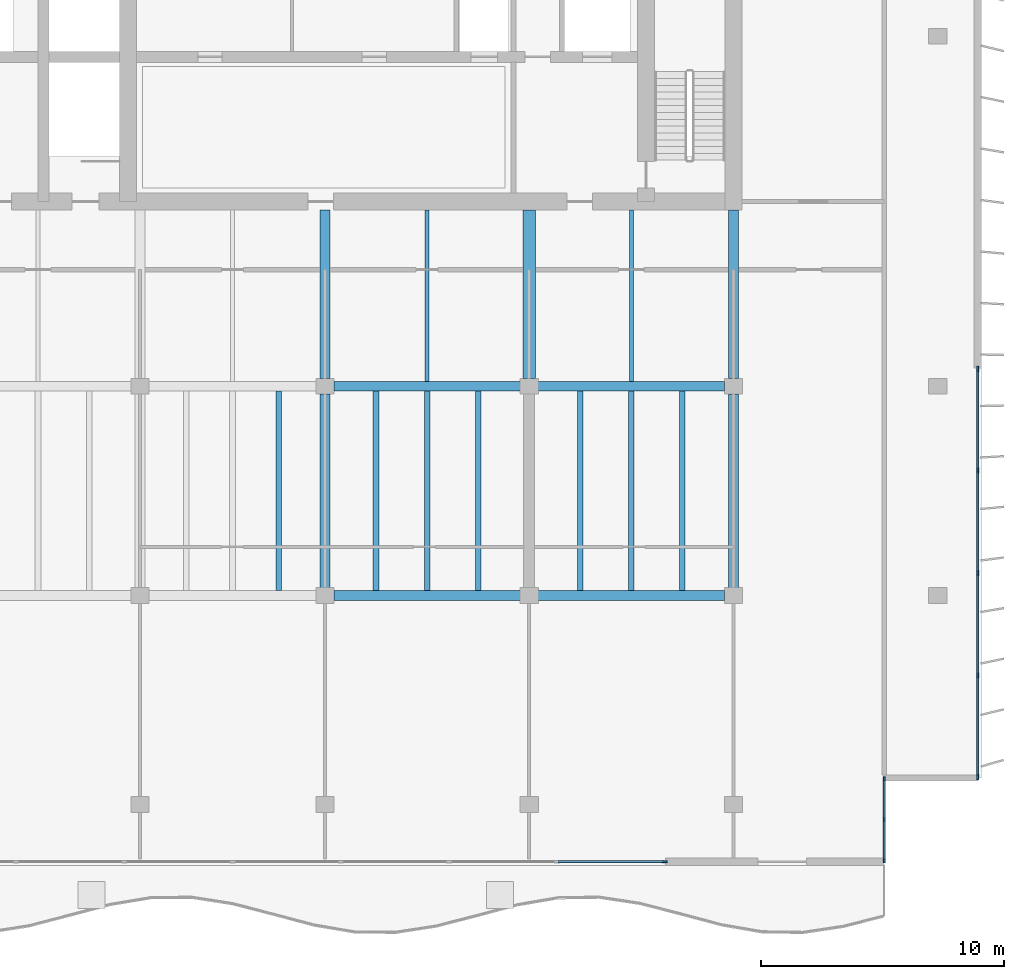
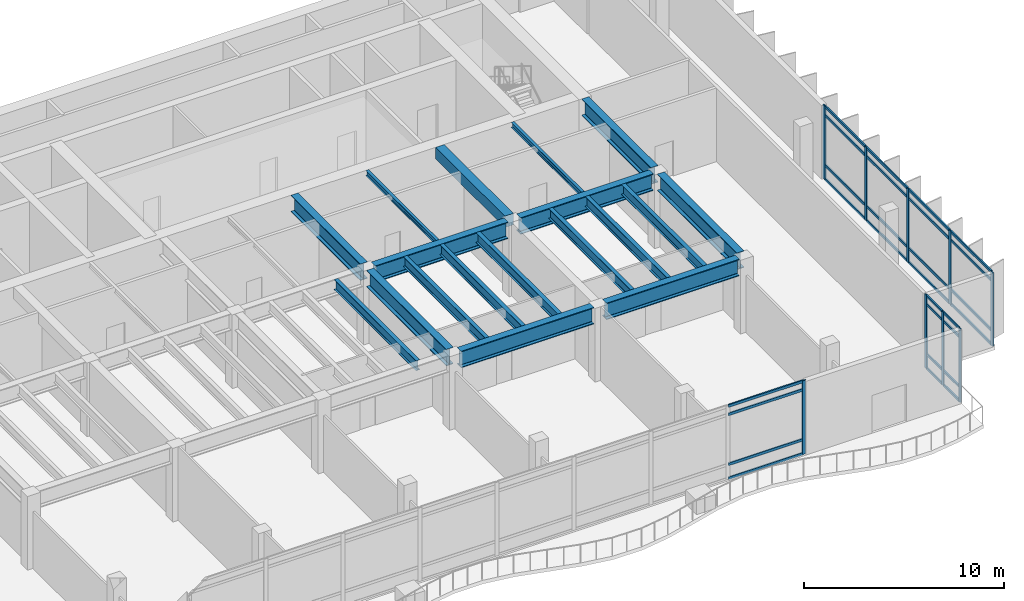
# One storey, part 4 of 14: 37 members, 18 beams, 3 elements without a shape of their own.
"""IFC4 building model written with IfcOpenShell, lengths in metres."""

from ifc_helpers import new_model, si_unit, direction, frame, origin, origin_2d, place, context, subcontext, project, spatial, rectangle, i_section, extrude, material, layer, layer_set, material_profile, profile_set, type_object, element, aggregate, save


model = new_model("IFC4")

# Units and contexts
model_context = context("Model", 3, precision=1e-05, world=origin(), true_north=direction((0.0, 1.0)))
body_context = subcontext(model_context, "Body", "Model", "MODEL_VIEW")
ifc_project = project(units=[si_unit("LENGTHUNIT", "METRE"), si_unit("AREAUNIT", "SQUARE_METRE"), si_unit("VOLUMEUNIT", "CUBIC_METRE"), si_unit("PLANEANGLEUNIT", "RADIAN"), si_unit("MASSUNIT", "GRAM", prefix="KILO")], contexts=[model_context])

# Site, building, storey
site_placement = place(None, origin())
site = spatial("IfcSite", under=ifc_project, at=site_placement, CompositionType="ELEMENT")
building_placement = place(site_placement, origin())
building = spatial("IfcBuilding", under=site, at=building_placement, Name="Caelmar Bay Residences", CompositionType="ELEMENT")
storey_placement = place(building_placement, frame((0.0, 0.0, 269.39990234375)))
storey = spatial("IfcBuildingStorey", under=building, at=storey_placement, Name="L76", CompositionType="ELEMENT", Elevation=269.39990234375)

# Beams
ifc_material_1 = material(Name="Steel ASTM A992 Grade 50", Category="steel")
ifc_material_profile_1 = material_profile(ifc_material_1, i_section(OverallWidth=0.404052734375, OverallDepth=1.02099609375, WebThickness=0.025390625, FlangeThickness=0.0458984375, FilletRadius=0.02294921875, at=origin_2d()), Name="W40X324")
ifc_profile_set_1 = profile_set([ifc_material_profile_1], Name="Steel ASTM A992 Grade 50")
beam_type_1 = type_object("IfcBeamType", Name="BM-GRD-W40X324", PredefinedType="BEAM", material=ifc_profile_set_1)
beam_1_placement = place(storey_placement, frame((43.06494140625, 20.800048828125, 3.989501953125), z_axis=(1.0, 0.0, 0.0), x_axis=(0.0, 1.0, 0.0)))
element("IfcBeam", 1, at=beam_1_placement, inside=storey, type_object=beam_type_1, Name="L76 East-West Girder Y=20.80 (42.7-51.1)", PredefinedType="BEAM", context=body_context, shape_type="SweptSolid", body=[
    extrude(i_section(OverallWidth=0.404052734375, OverallDepth=1.02099609375, WebThickness=0.025390625, FlangeThickness=0.0458984375, FilletRadius=0.02294921875, at=origin_2d()), origin(), (0.0, 0.0, 1.0), 7.670166015625),
])
beam_2_placement = place(storey_placement, frame((51.465087890625, 20.800048828125, 3.989501953125), z_axis=(1.0, 0.0, 0.0), x_axis=(0.0, 1.0, 0.0)))
element("IfcBeam", 2, at=beam_2_placement, inside=storey, type_object=beam_type_1, Name="L76 East-West Girder Y=20.80 (51.1-59.5)", PredefinedType="BEAM", context=body_context, shape_type="SweptSolid", body=[
    extrude(i_section(OverallWidth=0.404052734375, OverallDepth=1.02099609375, WebThickness=0.025390625, FlangeThickness=0.0458984375, FilletRadius=0.02294921875, at=origin_2d()), origin(), (0.0, 0.0, 1.0), 7.669921875),
])
beam_3_placement = place(storey_placement, frame((43.06494140625, 29.39990234375, 3.989501953125), z_axis=(1.0, 0.0, 0.0), x_axis=(0.0, 1.0, 0.0)))
element("IfcBeam", 3, at=beam_3_placement, inside=storey, type_object=beam_type_1, Name="L76 East-West Girder Y=29.40 (42.7-51.1)", PredefinedType="BEAM", context=body_context, shape_type="SweptSolid", body=[
    extrude(i_section(OverallWidth=0.404052734375, OverallDepth=1.02099609375, WebThickness=0.025390625, FlangeThickness=0.0458984375, FilletRadius=0.02294921875, at=origin_2d()), origin(), (0.0, 0.0, 1.0), 7.670166015625),
])
beam_4_placement = place(storey_placement, frame((51.465087890625, 29.39990234375, 3.989501953125), z_axis=(1.0, 0.0, 0.0), x_axis=(0.0, 1.0, 0.0)))
element("IfcBeam", 4, at=beam_4_placement, inside=storey, type_object=beam_type_1, Name="L76 East-West Girder Y=29.40 (51.1-59.5)", PredefinedType="BEAM", context=body_context, shape_type="SweptSolid", body=[
    extrude(i_section(OverallWidth=0.404052734375, OverallDepth=1.02099609375, WebThickness=0.025390625, FlangeThickness=0.0458984375, FilletRadius=0.02294921875, at=origin_2d()), origin(), (0.0, 0.0, 1.0), 7.669921875),
])
beam_5_placement = place(storey_placement, frame((42.699951171875, 29.715087890625, 3.989501953125), z_axis=(0.0, 1.0, 0.0), x_axis=(-1.0, 0.0, 0.0)))
element("IfcBeam", 5, at=beam_5_placement, inside=storey, type_object=beam_type_1, Name="L76 Core Tie Girder X=42.70", PredefinedType="BEAM", context=body_context, shape_type="SweptSolid", body=[
    extrude(i_section(OverallWidth=0.404052734375, OverallDepth=1.02099609375, WebThickness=0.025390625, FlangeThickness=0.0458984375, FilletRadius=0.02294921875, at=origin_2d()), origin(), (0.0, 0.0, 1.0), 6.934814453125),
])
beam_6_placement = place(storey_placement, frame((42.699951171875, 21.114990234375, 3.989501953125), z_axis=(0.0, 1.0, 0.0), x_axis=(-1.0, 0.0, 0.0)))
element("IfcBeam", 6, at=beam_6_placement, inside=storey, type_object=beam_type_1, Name="L76 North-South Girder X=42.70 (20.8-29.4)", PredefinedType="BEAM", context=body_context, shape_type="SweptSolid", body=[
    extrude(i_section(OverallWidth=0.404052734375, OverallDepth=1.02099609375, WebThickness=0.025390625, FlangeThickness=0.0458984375, FilletRadius=0.02294921875, at=origin_2d()), origin(), (0.0, 0.0, 1.0), 7.969970703125),
])
beam_7_placement = place(storey_placement, frame((59.5, 29.715087890625, 3.989501953125), z_axis=(0.0, 1.0, 0.0), x_axis=(-1.0, 0.0, 0.0)))
element("IfcBeam", 7, at=beam_7_placement, inside=storey, type_object=beam_type_1, Name="L76 Core Tie Girder X=59.50", PredefinedType="BEAM", context=body_context, shape_type="SweptSolid", body=[
    extrude(i_section(OverallWidth=0.404052734375, OverallDepth=1.02099609375, WebThickness=0.025390625, FlangeThickness=0.0458984375, FilletRadius=0.02294921875, at=origin_2d()), origin(), (0.0, 0.0, 1.0), 6.934814453125),
])
beam_8_placement = place(storey_placement, frame((59.5, 21.114990234375, 3.989501953125), z_axis=(0.0, 1.0, 0.0), x_axis=(-1.0, 0.0, 0.0)))
element("IfcBeam", 8, at=beam_8_placement, inside=storey, type_object=beam_type_1, Name="L76 North-South Girder X=59.50 (20.8-29.4)", PredefinedType="BEAM", context=body_context, shape_type="SweptSolid", body=[
    extrude(i_section(OverallWidth=0.404052734375, OverallDepth=1.02099609375, WebThickness=0.025390625, FlangeThickness=0.0458984375, FilletRadius=0.02294921875, at=origin_2d()), origin(), (0.0, 0.0, 1.0), 7.969970703125),
])
ifc_material_profile_2 = material_profile(ifc_material_1, i_section(OverallWidth=0.1650390625, OverallDepth=0.31005859375, WebThickness=0.005859375, FlangeThickness=0.009765625, FilletRadius=0.007568359375, at=origin_2d()), Name="W12X26")
ifc_profile_set_2 = profile_set([ifc_material_profile_2], Name="Steel ASTM A992 Grade 50")
beam_type_2 = type_object("IfcBeamType", Name="BM-JST-W12X26", PredefinedType="JOIST", material=ifc_profile_set_2)
for number, where, z_axis, x_axis, name in (
    (9, (46.89990234375, 29.60205078125, 4.34521484375), (0.0, 1.0, 0.0), (-1.0, 0.0, 0.0), "L76 Core-Band Composite Joist 19"),
    (10, (55.300048828125, 29.60205078125, 4.34521484375), (0.0, 1.0, 0.0), (-1.0, 0.0, 0.0), "L76 Core-Band Composite Joist 20"),
):
    element("IfcBeam", number, at=place(storey_placement, frame(where, z_axis=z_axis, x_axis=x_axis)), inside=storey, type_object=beam_type_2, Name=name, PredefinedType="JOIST", context=body_context, shape_type="SweptSolid", body=[
        extrude(i_section(OverallWidth=0.1650390625, OverallDepth=0.31005859375, WebThickness=0.005859375, FlangeThickness=0.009765625, FilletRadius=0.007568359375, at=origin_2d()), origin(), (0.0, 0.0, 1.0), 7.0478515625),
    ])
ifc_material_profile_3 = material_profile(ifc_material_1, i_section(OverallWidth=0.22900390625, OverallDepth=0.612060546875, WebThickness=0.011962890625, FlangeThickness=0.01953125, FilletRadius=0.0126953125, at=origin_2d()), Name="W24X84")
ifc_profile_set_3 = profile_set([ifc_material_profile_3], Name="Steel ASTM A992 Grade 50")
beam_type_3 = type_object("IfcBeamType", Name="BM-JST-W24X84", PredefinedType="JOIST", material=ifc_profile_set_3)
for number, where, z_axis, x_axis, name in (
    (11, (40.800048828125, 21.001953125, 4.194091796875), (0.0, 1.0, 0.0), (-1.0, 0.0, 0.0), "L76 Composite Floor Joist 9"),
    (12, (44.800048828125, 21.001953125, 4.194091796875), (0.0, 1.0, 0.0), (-1.0, 0.0, 0.0), "L76 Composite Floor Joist 10"),
    (13, (46.89990234375, 21.001953125, 4.194091796875), (0.0, 1.0, 0.0), (-1.0, 0.0, 0.0), "L76 Composite Floor Joist 11"),
    (14, (49.0, 21.001953125, 4.194091796875), (0.0, 1.0, 0.0), (-1.0, 0.0, 0.0), "L76 Composite Floor Joist 12"),
    (15, (53.199951171875, 21.001953125, 4.194091796875), (0.0, 1.0, 0.0), (-1.0, 0.0, 0.0), "L76 Composite Floor Joist 13"),
    (16, (55.300048828125, 21.001953125, 4.194091796875), (0.0, 1.0, 0.0), (-1.0, 0.0, 0.0), "L76 Composite Floor Joist 14"),
    (17, (57.39990234375, 21.001953125, 4.194091796875), (0.0, 1.0, 0.0), (-1.0, 0.0, 0.0), "L76 Composite Floor Joist 15"),
):
    element("IfcBeam", number, at=place(storey_placement, frame(where, z_axis=z_axis, x_axis=x_axis)), inside=storey, type_object=beam_type_3, Name=name, PredefinedType="JOIST", context=body_context, shape_type="SweptSolid", body=[
        extrude(i_section(OverallWidth=0.22900390625, OverallDepth=0.612060546875, WebThickness=0.011962890625, FlangeThickness=0.01953125, FilletRadius=0.0126953125, at=origin_2d()), origin(), (0.0, 0.0, 1.0), 8.196044921875),
    ])
ifc_material_2 = material(Name="Concrete f'c 55 MPa (8,000 psi)", Category="concrete")
ifc_material_profile_4 = material_profile(ifc_material_2, rectangle(XDim=0.5, YDim=0.699951171875, at=origin_2d()), Name="RC-BM-500X700")
ifc_profile_set_4 = profile_set([ifc_material_profile_4], Name="Concrete f'c 55 MPa (8,000 psi)")
beam_type_4 = type_object("IfcBeamType", Name="BM-RC-500X700", PredefinedType="LINTEL", material=ifc_profile_set_4)
beam_9_placement = place(storey_placement, frame((51.10009765625, 29.715087890625, 4.150146484375), z_axis=(0.0, 1.0, 0.0), x_axis=(-1.0, 0.0, 0.0)))
element("IfcBeam", 18, at=beam_9_placement, inside=storey, type_object=beam_type_4, Name="L76 Shear-Wall Corridor Coupling Lintel E8", PredefinedType="LINTEL", context=body_context, shape_type="SweptSolid", body=[
    extrude(rectangle(XDim=0.5, YDim=0.699951171875, at=origin_2d()), origin(), (0.0, 0.0, 1.0), 6.934814453125),
])

# Curtain wall, members
ifc_material_3 = material(Name="Anodised bronze aluminium 6063-T6 and laminated glass", Category="aluminium")
ifc_layer_1 = layer(ifc_material_3, 0.179931640625)
ifc_layer_set_1 = layer_set([ifc_layer_1], Name="Anodised bronze aluminium 6063-T6 and laminated glass")
curtain_wall_type_1 = type_object("IfcCurtainWallType", Name="CW6-NTC", PredefinedType="NOTDEFINED", material=ifc_layer_set_1)
curtain_wall_1_placement = place(storey_placement, origin())
curtain_wall_1 = element("IfcCurtainWall", 19, at=curtain_wall_1_placement, inside=storey, type_object=curtain_wall_type_1, Name="CW6 curtain wall L76", PredefinedType="NOTDEFINED")
ifc_material_4 = material(Name="Anodised bronze aluminium 6063-T6", Category="aluminium")
ifc_material_profile_5 = material_profile(ifc_material_4, rectangle(XDim=0.080078125, YDim=0.179931640625, at=origin_2d()), Name="CWM-80X180")
ifc_profile_set_5 = profile_set([ifc_material_profile_5], Name="Anodised bronze aluminium 6063-T6")
member_type_1 = type_object("IfcMemberType", Name="CWM-180", PredefinedType="MULLION", material=ifc_profile_set_5)
member_1_placement = place(storey_placement, frame((65.699951171875, 9.889892578125, 0.0), z_axis=(0.0, 0.0, 1.0), x_axis=(-1.0, 0.0, 0.0)))
member_1 = element("IfcMember", 20, at=member_1_placement, type_object=member_type_1, Name="CW6 mullion 1", PredefinedType="MULLION", context=body_context, shape_type="SweptSolid", body=[
    extrude(rectangle(XDim=0.080078125, YDim=0.179931640625, at=origin_2d()), origin(), (0.0, 0.0, 1.0), 4.5),
])
member_2_placement = place(storey_placement, frame((65.699951171875, 11.574951171875, 0.0), z_axis=(0.0, 0.0, 1.0), x_axis=(-1.0, 0.0, 0.0)))
member_2 = element("IfcMember", 21, at=member_2_placement, type_object=member_type_1, Name="CW6 mullion 2", PredefinedType="MULLION", context=body_context, shape_type="SweptSolid", body=[
    extrude(rectangle(XDim=0.080078125, YDim=0.179931640625, at=origin_2d()), origin(), (0.0, 0.0, 1.0), 4.5),
])
member_3_placement = place(storey_placement, frame((65.699951171875, 13.260009765625, 0.0), z_axis=(0.0, 0.0, 1.0), x_axis=(-1.0, 0.0, 0.0)))
member_3 = element("IfcMember", 22, at=member_3_placement, type_object=member_type_1, Name="CW6 mullion 3", PredefinedType="MULLION", context=body_context, shape_type="SweptSolid", body=[
    extrude(rectangle(XDim=0.080078125, YDim=0.179931640625, at=origin_2d()), origin(), (0.0, 0.0, 1.0), 4.5),
])

# Curtain wall, member
ifc_layer_2 = layer(ifc_material_3, 0.179931640625)
ifc_layer_set_2 = layer_set([ifc_layer_2], Name="Anodised bronze aluminium 6063-T6 and laminated glass")
curtain_wall_type_2 = type_object("IfcCurtainWallType", Name="CW7-CRN", PredefinedType="NOTDEFINED", material=ifc_layer_set_2)
curtain_wall_2_placement = place(storey_placement, origin())
curtain_wall_2 = element("IfcCurtainWall", 23, at=curtain_wall_2_placement, inside=storey, type_object=curtain_wall_type_2, Name="CW7 curtain wall L76", PredefinedType="NOTDEFINED")
ifc_material_profile_6 = material_profile(ifc_material_4, rectangle(XDim=0.080078125, YDim=0.219970703125, at=origin_2d()), Name="CWM-80X220")
ifc_profile_set_6 = profile_set([ifc_material_profile_6], Name="Anodised bronze aluminium 6063-T6")
member_type_2 = type_object("IfcMemberType", Name="CWM-220", PredefinedType="MULLION", material=ifc_profile_set_6)
member_4_placement = place(storey_placement, frame((56.659912109375, 9.85009765625, 0.0), z_axis=(0.0, 0.0, 1.0), x_axis=(0.0, -1.0, 0.0)))
member_4 = element("IfcMember", 24, at=member_4_placement, type_object=member_type_2, Name="CW7 mullion 1", PredefinedType="MULLION", context=body_context, shape_type="SweptSolid", body=[
    extrude(rectangle(XDim=0.080078125, YDim=0.219970703125, at=origin_2d()), origin(), (0.0, 0.0, 1.0), 4.5),
])

# Curtain wall, members
curtain_wall_3_placement = place(storey_placement, origin())
curtain_wall_3 = element("IfcCurtainWall", 25, at=curtain_wall_3_placement, inside=storey, type_object=curtain_wall_type_2, Name="CW7 curtain wall L76", PredefinedType="NOTDEFINED")
member_5_placement = place(storey_placement, frame((69.550048828125, 30.110107421875, 0.0), z_axis=(0.0, 0.0, 1.0), x_axis=(1.0, 0.0, 0.0)))
member_5 = element("IfcMember", 26, at=member_5_placement, type_object=member_type_2, Name="CW7 mullion 1", PredefinedType="MULLION", context=body_context, shape_type="SweptSolid", body=[
    extrude(rectangle(XDim=0.080078125, YDim=0.219970703125, at=origin_2d()), origin(), (0.0, 0.0, 1.0), 4.5),
])
member_6_placement = place(storey_placement, frame((69.550048828125, 25.9375, 0.0), z_axis=(0.0, 0.0, 1.0), x_axis=(1.0, 0.0, 0.0)))
member_6 = element("IfcMember", 27, at=member_6_placement, type_object=member_type_2, Name="CW7 mullion 2", PredefinedType="MULLION", context=body_context, shape_type="SweptSolid", body=[
    extrude(rectangle(XDim=0.080078125, YDim=0.219970703125, at=origin_2d()), origin(), (0.0, 0.0, 1.0), 4.5),
])
member_7_placement = place(storey_placement, frame((69.550048828125, 21.72509765625, 0.0), z_axis=(0.0, 0.0, 1.0), x_axis=(1.0, 0.0, 0.0)))
member_7 = element("IfcMember", 28, at=member_7_placement, type_object=member_type_2, Name="CW7 mullion 3", PredefinedType="MULLION", context=body_context, shape_type="SweptSolid", body=[
    extrude(rectangle(XDim=0.080078125, YDim=0.219970703125, at=origin_2d()), origin(), (0.0, 0.0, 1.0), 4.5),
])
member_8_placement = place(storey_placement, frame((69.550048828125, 17.512451171875, 0.0), z_axis=(0.0, 0.0, 1.0), x_axis=(1.0, 0.0, 0.0)))
member_8 = element("IfcMember", 29, at=member_8_placement, type_object=member_type_2, Name="CW7 mullion 4", PredefinedType="MULLION", context=body_context, shape_type="SweptSolid", body=[
    extrude(rectangle(XDim=0.080078125, YDim=0.219970703125, at=origin_2d()), origin(), (0.0, 0.0, 1.0), 4.5),
])
member_9_placement = place(storey_placement, frame((69.550048828125, 13.340087890625, 0.0), z_axis=(0.0, 0.0, 1.0), x_axis=(1.0, 0.0, 0.0)))
member_9 = element("IfcMember", 30, at=member_9_placement, type_object=member_type_2, Name="CW7 mullion 5", PredefinedType="MULLION", context=body_context, shape_type="SweptSolid", body=[
    extrude(rectangle(XDim=0.080078125, YDim=0.219970703125, at=origin_2d()), origin(), (0.0, 0.0, 1.0), 4.5),
])

# Member
ifc_material_profile_7 = material_profile(ifc_material_4, rectangle(XDim=0.080078125, YDim=0.139892578125, at=origin_2d()), Name="CWT-80X140")
ifc_profile_set_7 = profile_set([ifc_material_profile_7], Name="Anodised bronze aluminium 6063-T6")
member_type_3 = type_object("IfcMemberType", Name="CWT-140", PredefinedType="NOTDEFINED", material=ifc_profile_set_7)
member_10_placement = place(storey_placement, frame((65.699951171875, 9.929931640625, 0.0400390625), z_axis=(0.0, 1.0, 0.0), x_axis=(-1.0, 0.0, 0.0)))
member_10 = element("IfcMember", 31, at=member_10_placement, type_object=member_type_3, Name="CW6 transom 1.1", ObjectType="TRANSOM", PredefinedType="USERDEFINED", context=body_context, shape_type="SweptSolid", body=[
    extrude(rectangle(XDim=0.080078125, YDim=0.139892578125, at=origin_2d()), origin(), (0.0, 0.0, 1.0), 1.60498046875),
])

member_11_placement = place(storey_placement, frame((65.699951171875, 9.929931640625, 0.900146484375), z_axis=(0.0, 1.0, 0.0), x_axis=(-1.0, 0.0, 0.0)))
member_11 = element("IfcMember", 32, at=member_11_placement, type_object=member_type_3, Name="CW6 transom 1.2", ObjectType="TRANSOM", PredefinedType="USERDEFINED", context=body_context, shape_type="SweptSolid", body=[
    extrude(rectangle(XDim=0.080078125, YDim=0.139892578125, at=origin_2d()), origin(), (0.0, 0.0, 1.0), 1.60498046875),
])

member_12_placement = place(storey_placement, frame((65.699951171875, 9.929931640625, 3.9501953125), z_axis=(0.0, 1.0, 0.0), x_axis=(-1.0, 0.0, 0.0)))
member_12 = element("IfcMember", 33, at=member_12_placement, type_object=member_type_3, Name="CW6 transom 1.3", ObjectType="TRANSOM", PredefinedType="USERDEFINED", context=body_context, shape_type="SweptSolid", body=[
    extrude(rectangle(XDim=0.080078125, YDim=0.139892578125, at=origin_2d()), origin(), (0.0, 0.0, 1.0), 1.60498046875),
])

member_13_placement = place(storey_placement, frame((65.699951171875, 9.929931640625, 4.460205078125), z_axis=(0.0, 1.0, 0.0), x_axis=(-1.0, 0.0, 0.0)))
member_13 = element("IfcMember", 34, at=member_13_placement, type_object=member_type_3, Name="CW6 transom 1.4", ObjectType="TRANSOM", PredefinedType="USERDEFINED", context=body_context, shape_type="SweptSolid", body=[
    extrude(rectangle(XDim=0.080078125, YDim=0.139892578125, at=origin_2d()), origin(), (0.0, 0.0, 1.0), 1.60498046875),
])

member_14_placement = place(storey_placement, frame((65.699951171875, 11.614990234375, 0.0400390625), z_axis=(0.0, 1.0, 0.0), x_axis=(-1.0, 0.0, 0.0)))
member_14 = element("IfcMember", 35, at=member_14_placement, type_object=member_type_3, Name="CW6 transom 2.1", ObjectType="TRANSOM", PredefinedType="USERDEFINED", context=body_context, shape_type="SweptSolid", body=[
    extrude(rectangle(XDim=0.080078125, YDim=0.139892578125, at=origin_2d()), origin(), (0.0, 0.0, 1.0), 1.60498046875),
])

member_15_placement = place(storey_placement, frame((65.699951171875, 11.614990234375, 0.900146484375), z_axis=(0.0, 1.0, 0.0), x_axis=(-1.0, 0.0, 0.0)))
member_15 = element("IfcMember", 36, at=member_15_placement, type_object=member_type_3, Name="CW6 transom 2.2", ObjectType="TRANSOM", PredefinedType="USERDEFINED", context=body_context, shape_type="SweptSolid", body=[
    extrude(rectangle(XDim=0.080078125, YDim=0.139892578125, at=origin_2d()), origin(), (0.0, 0.0, 1.0), 1.60498046875),
])

member_16_placement = place(storey_placement, frame((65.699951171875, 11.614990234375, 3.9501953125), z_axis=(0.0, 1.0, 0.0), x_axis=(-1.0, 0.0, 0.0)))
member_16 = element("IfcMember", 37, at=member_16_placement, type_object=member_type_3, Name="CW6 transom 2.3", ObjectType="TRANSOM", PredefinedType="USERDEFINED", context=body_context, shape_type="SweptSolid", body=[
    extrude(rectangle(XDim=0.080078125, YDim=0.139892578125, at=origin_2d()), origin(), (0.0, 0.0, 1.0), 1.60498046875),
])

member_17_placement = place(storey_placement, frame((65.699951171875, 11.614990234375, 4.460205078125), z_axis=(0.0, 1.0, 0.0), x_axis=(-1.0, 0.0, 0.0)))
member_17 = element("IfcMember", 38, at=member_17_placement, type_object=member_type_3, Name="CW6 transom 2.4", ObjectType="TRANSOM", PredefinedType="USERDEFINED", context=body_context, shape_type="SweptSolid", body=[
    extrude(rectangle(XDim=0.080078125, YDim=0.139892578125, at=origin_2d()), origin(), (0.0, 0.0, 1.0), 1.60498046875),
])

aggregate(curtain_wall_1, [member_1, member_2, member_3, member_10, member_11, member_12, member_13, member_14, member_15, member_16, member_17])

ifc_material_profile_8 = material_profile(ifc_material_4, rectangle(XDim=0.080078125, YDim=0.159912109375, at=origin_2d()), Name="CWT-80X160")
ifc_profile_set_8 = profile_set([ifc_material_profile_8], Name="Anodised bronze aluminium 6063-T6")
member_type_4 = type_object("IfcMemberType", Name="CWT-160", PredefinedType="NOTDEFINED", material=ifc_profile_set_8)
member_18_placement = place(storey_placement, frame((56.6201171875, 9.85009765625, 0.0400390625), z_axis=(-1.0, 0.0, 0.0), x_axis=(0.0, -1.0, 0.0)))
member_18 = element("IfcMember", 39, at=member_18_placement, type_object=member_type_4, Name="CW7 transom 1.1", ObjectType="TRANSOM", PredefinedType="USERDEFINED", context=body_context, shape_type="SweptSolid", body=[
    extrude(rectangle(XDim=0.080078125, YDim=0.159912109375, at=origin_2d()), origin(), (0.0, 0.0, 1.0), 4.330078125),
])

member_19_placement = place(storey_placement, frame((56.6201171875, 9.85009765625, 0.900146484375), z_axis=(-1.0, 0.0, 0.0), x_axis=(0.0, -1.0, 0.0)))
member_19 = element("IfcMember", 40, at=member_19_placement, type_object=member_type_4, Name="CW7 transom 1.2", ObjectType="TRANSOM", PredefinedType="USERDEFINED", context=body_context, shape_type="SweptSolid", body=[
    extrude(rectangle(XDim=0.080078125, YDim=0.159912109375, at=origin_2d()), origin(), (0.0, 0.0, 1.0), 4.330078125),
])

member_20_placement = place(storey_placement, frame((56.6201171875, 9.85009765625, 3.9501953125), z_axis=(-1.0, 0.0, 0.0), x_axis=(0.0, -1.0, 0.0)))
member_20 = element("IfcMember", 41, at=member_20_placement, type_object=member_type_4, Name="CW7 transom 1.3", ObjectType="TRANSOM", PredefinedType="USERDEFINED", context=body_context, shape_type="SweptSolid", body=[
    extrude(rectangle(XDim=0.080078125, YDim=0.159912109375, at=origin_2d()), origin(), (0.0, 0.0, 1.0), 4.330078125),
])

member_21_placement = place(storey_placement, frame((56.6201171875, 9.85009765625, 4.460205078125), z_axis=(-1.0, 0.0, 0.0), x_axis=(0.0, -1.0, 0.0)))
member_21 = element("IfcMember", 42, at=member_21_placement, type_object=member_type_4, Name="CW7 transom 1.4", ObjectType="TRANSOM", PredefinedType="USERDEFINED", context=body_context, shape_type="SweptSolid", body=[
    extrude(rectangle(XDim=0.080078125, YDim=0.159912109375, at=origin_2d()), origin(), (0.0, 0.0, 1.0), 4.330078125),
])

aggregate(curtain_wall_2, [member_4, member_18, member_19, member_20, member_21])

member_22_placement = place(storey_placement, frame((69.550048828125, 30.070068359375, 0.0400390625), z_axis=(0.0, -1.0, 0.0), x_axis=(1.0, 0.0, 0.0)))
member_22 = element("IfcMember", 43, at=member_22_placement, type_object=member_type_4, Name="CW7 transom 1.1", ObjectType="TRANSOM", PredefinedType="USERDEFINED", context=body_context, shape_type="SweptSolid", body=[
    extrude(rectangle(XDim=0.080078125, YDim=0.159912109375, at=origin_2d()), origin(), (0.0, 0.0, 1.0), 4.092529296875),
])

member_23_placement = place(storey_placement, frame((69.550048828125, 30.070068359375, 0.900146484375), z_axis=(0.0, -1.0, 0.0), x_axis=(1.0, 0.0, 0.0)))
member_23 = element("IfcMember", 44, at=member_23_placement, type_object=member_type_4, Name="CW7 transom 1.2", ObjectType="TRANSOM", PredefinedType="USERDEFINED", context=body_context, shape_type="SweptSolid", body=[
    extrude(rectangle(XDim=0.080078125, YDim=0.159912109375, at=origin_2d()), origin(), (0.0, 0.0, 1.0), 4.092529296875),
])

member_24_placement = place(storey_placement, frame((69.550048828125, 30.070068359375, 3.9501953125), z_axis=(0.0, -1.0, 0.0), x_axis=(1.0, 0.0, 0.0)))
member_24 = element("IfcMember", 45, at=member_24_placement, type_object=member_type_4, Name="CW7 transom 1.3", ObjectType="TRANSOM", PredefinedType="USERDEFINED", context=body_context, shape_type="SweptSolid", body=[
    extrude(rectangle(XDim=0.080078125, YDim=0.159912109375, at=origin_2d()), origin(), (0.0, 0.0, 1.0), 4.092529296875),
])

member_25_placement = place(storey_placement, frame((69.550048828125, 30.070068359375, 4.460205078125), z_axis=(0.0, -1.0, 0.0), x_axis=(1.0, 0.0, 0.0)))
member_25 = element("IfcMember", 46, at=member_25_placement, type_object=member_type_4, Name="CW7 transom 1.4", ObjectType="TRANSOM", PredefinedType="USERDEFINED", context=body_context, shape_type="SweptSolid", body=[
    extrude(rectangle(XDim=0.080078125, YDim=0.159912109375, at=origin_2d()), origin(), (0.0, 0.0, 1.0), 4.092529296875),
])

member_26_placement = place(storey_placement, frame((69.550048828125, 25.8974609375, 0.0400390625), z_axis=(0.0, -1.0, 0.0), x_axis=(1.0, 0.0, 0.0)))
member_26 = element("IfcMember", 47, at=member_26_placement, type_object=member_type_4, Name="CW7 transom 2.1", ObjectType="TRANSOM", PredefinedType="USERDEFINED", context=body_context, shape_type="SweptSolid", body=[
    extrude(rectangle(XDim=0.080078125, YDim=0.159912109375, at=origin_2d()), origin(), (0.0, 0.0, 1.0), 4.132568359375),
])

member_27_placement = place(storey_placement, frame((69.550048828125, 25.8974609375, 0.900146484375), z_axis=(0.0, -1.0, 0.0), x_axis=(1.0, 0.0, 0.0)))
member_27 = element("IfcMember", 48, at=member_27_placement, type_object=member_type_4, Name="CW7 transom 2.2", ObjectType="TRANSOM", PredefinedType="USERDEFINED", context=body_context, shape_type="SweptSolid", body=[
    extrude(rectangle(XDim=0.080078125, YDim=0.159912109375, at=origin_2d()), origin(), (0.0, 0.0, 1.0), 4.132568359375),
])

member_28_placement = place(storey_placement, frame((69.550048828125, 25.8974609375, 3.9501953125), z_axis=(0.0, -1.0, 0.0), x_axis=(1.0, 0.0, 0.0)))
member_28 = element("IfcMember", 49, at=member_28_placement, type_object=member_type_4, Name="CW7 transom 2.3", ObjectType="TRANSOM", PredefinedType="USERDEFINED", context=body_context, shape_type="SweptSolid", body=[
    extrude(rectangle(XDim=0.080078125, YDim=0.159912109375, at=origin_2d()), origin(), (0.0, 0.0, 1.0), 4.132568359375),
])

member_29_placement = place(storey_placement, frame((69.550048828125, 25.8974609375, 4.460205078125), z_axis=(0.0, -1.0, 0.0), x_axis=(1.0, 0.0, 0.0)))
member_29 = element("IfcMember", 50, at=member_29_placement, type_object=member_type_4, Name="CW7 transom 2.4", ObjectType="TRANSOM", PredefinedType="USERDEFINED", context=body_context, shape_type="SweptSolid", body=[
    extrude(rectangle(XDim=0.080078125, YDim=0.159912109375, at=origin_2d()), origin(), (0.0, 0.0, 1.0), 4.132568359375),
])

member_30_placement = place(storey_placement, frame((69.550048828125, 21.68505859375, 0.0400390625), z_axis=(0.0, -1.0, 0.0), x_axis=(1.0, 0.0, 0.0)))
member_30 = element("IfcMember", 51, at=member_30_placement, type_object=member_type_4, Name="CW7 transom 3.1", ObjectType="TRANSOM", PredefinedType="USERDEFINED", context=body_context, shape_type="SweptSolid", body=[
    extrude(rectangle(XDim=0.080078125, YDim=0.159912109375, at=origin_2d()), origin(), (0.0, 0.0, 1.0), 4.132568359375),
])

member_31_placement = place(storey_placement, frame((69.550048828125, 21.68505859375, 0.900146484375), z_axis=(0.0, -1.0, 0.0), x_axis=(1.0, 0.0, 0.0)))
member_31 = element("IfcMember", 52, at=member_31_placement, type_object=member_type_4, Name="CW7 transom 3.2", ObjectType="TRANSOM", PredefinedType="USERDEFINED", context=body_context, shape_type="SweptSolid", body=[
    extrude(rectangle(XDim=0.080078125, YDim=0.159912109375, at=origin_2d()), origin(), (0.0, 0.0, 1.0), 4.132568359375),
])

member_32_placement = place(storey_placement, frame((69.550048828125, 21.68505859375, 3.9501953125), z_axis=(0.0, -1.0, 0.0), x_axis=(1.0, 0.0, 0.0)))
member_32 = element("IfcMember", 53, at=member_32_placement, type_object=member_type_4, Name="CW7 transom 3.3", ObjectType="TRANSOM", PredefinedType="USERDEFINED", context=body_context, shape_type="SweptSolid", body=[
    extrude(rectangle(XDim=0.080078125, YDim=0.159912109375, at=origin_2d()), origin(), (0.0, 0.0, 1.0), 4.132568359375),
])

member_33_placement = place(storey_placement, frame((69.550048828125, 21.68505859375, 4.460205078125), z_axis=(0.0, -1.0, 0.0), x_axis=(1.0, 0.0, 0.0)))
member_33 = element("IfcMember", 54, at=member_33_placement, type_object=member_type_4, Name="CW7 transom 3.4", ObjectType="TRANSOM", PredefinedType="USERDEFINED", context=body_context, shape_type="SweptSolid", body=[
    extrude(rectangle(XDim=0.080078125, YDim=0.159912109375, at=origin_2d()), origin(), (0.0, 0.0, 1.0), 4.132568359375),
])

member_34_placement = place(storey_placement, frame((69.550048828125, 17.472412109375, 0.0400390625), z_axis=(0.0, -1.0, 0.0), x_axis=(1.0, 0.0, 0.0)))
member_34 = element("IfcMember", 55, at=member_34_placement, type_object=member_type_4, Name="CW7 transom 4.1", ObjectType="TRANSOM", PredefinedType="USERDEFINED", context=body_context, shape_type="SweptSolid", body=[
    extrude(rectangle(XDim=0.080078125, YDim=0.159912109375, at=origin_2d()), origin(), (0.0, 0.0, 1.0), 4.092529296875),
])

member_35_placement = place(storey_placement, frame((69.550048828125, 17.472412109375, 0.900146484375), z_axis=(0.0, -1.0, 0.0), x_axis=(1.0, 0.0, 0.0)))
member_35 = element("IfcMember", 56, at=member_35_placement, type_object=member_type_4, Name="CW7 transom 4.2", ObjectType="TRANSOM", PredefinedType="USERDEFINED", context=body_context, shape_type="SweptSolid", body=[
    extrude(rectangle(XDim=0.080078125, YDim=0.159912109375, at=origin_2d()), origin(), (0.0, 0.0, 1.0), 4.092529296875),
])

member_36_placement = place(storey_placement, frame((69.550048828125, 17.472412109375, 3.9501953125), z_axis=(0.0, -1.0, 0.0), x_axis=(1.0, 0.0, 0.0)))
member_36 = element("IfcMember", 57, at=member_36_placement, type_object=member_type_4, Name="CW7 transom 4.3", ObjectType="TRANSOM", PredefinedType="USERDEFINED", context=body_context, shape_type="SweptSolid", body=[
    extrude(rectangle(XDim=0.080078125, YDim=0.159912109375, at=origin_2d()), origin(), (0.0, 0.0, 1.0), 4.092529296875),
])

member_37_placement = place(storey_placement, frame((69.550048828125, 17.472412109375, 4.460205078125), z_axis=(0.0, -1.0, 0.0), x_axis=(1.0, 0.0, 0.0)))
member_37 = element("IfcMember", 58, at=member_37_placement, type_object=member_type_4, Name="CW7 transom 4.4", ObjectType="TRANSOM", PredefinedType="USERDEFINED", context=body_context, shape_type="SweptSolid", body=[
    extrude(rectangle(XDim=0.080078125, YDim=0.159912109375, at=origin_2d()), origin(), (0.0, 0.0, 1.0), 4.092529296875),
])

aggregate(curtain_wall_3, [member_5, member_6, member_7, member_8, member_9, member_22, member_23, member_24, member_25, member_26, member_27, member_28, member_29, member_30, member_31, member_32, member_33, member_34, member_35, member_36, member_37])

save(model, "model.ifc")
